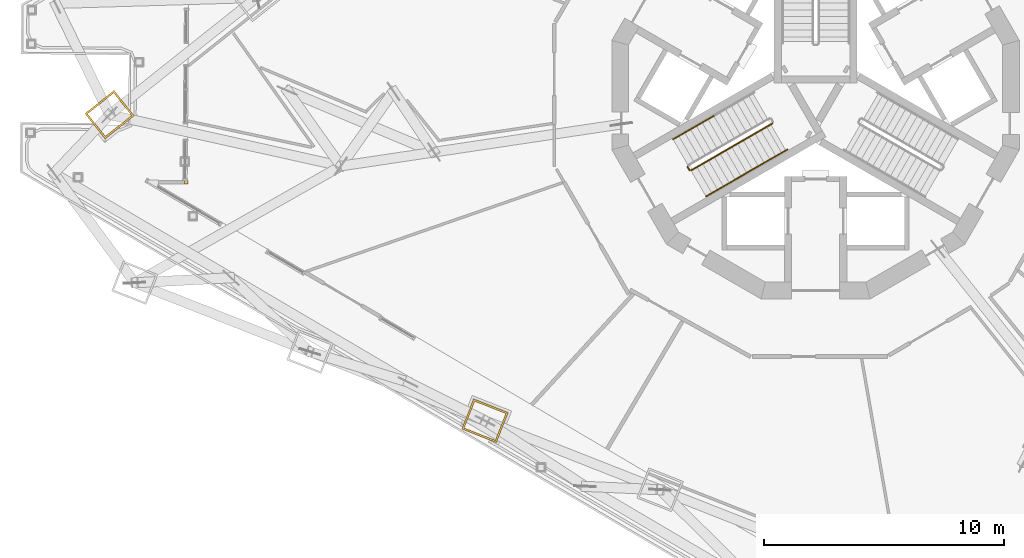
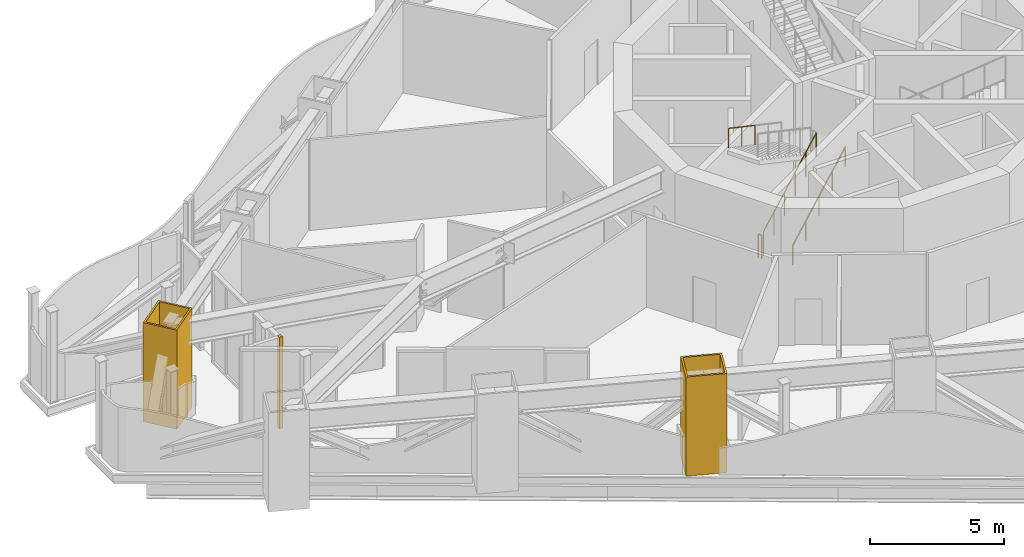
# One storey, part 20 of 27: 5 railings, 3 coverings.
"""IFC4 building model written with IfcOpenShell, lengths in metres."""

from ifc_helpers import new_model, si_unit, direction, frame, origin, origin_2d, place, context, subcontext, project, spatial, polyline, circle, outline, extrude, material, layer, layer_set, type_object, element, save


model = new_model("IFC4")

# Units and contexts
model_context = context("Model", 3, precision=1e-05, world=origin(), true_north=direction((0.0, 1.0)))
body_context = subcontext(model_context, "Body", "Model", "MODEL_VIEW")
ifc_project = project(units=[si_unit("LENGTHUNIT", "METRE"), si_unit("AREAUNIT", "SQUARE_METRE"), si_unit("VOLUMEUNIT", "CUBIC_METRE"), si_unit("PLANEANGLEUNIT", "RADIAN"), si_unit("MASSUNIT", "GRAM", prefix="KILO")], contexts=[model_context])

# Site, building, storey
site_placement = place(None, origin())
site = spatial("IfcSite", under=ifc_project, at=site_placement, CompositionType="ELEMENT")
building_placement = place(site_placement, origin())
building = spatial("IfcBuilding", under=site, at=building_placement, Name="Trine Commons Tower", CompositionType="ELEMENT")
storey_placement = place(building_placement, frame((0.0, 0.0, 193.5)))
storey = spatial("IfcBuildingStorey", under=building, at=storey_placement, Name="L50", CompositionType="ELEMENT", Elevation=193.5)

# Coverings
ifc_material_1 = material(Name="Aluminium-framed insulated wall panel", Category="aluminium")
ifc_layer_1 = layer(ifc_material_1, 0.14990234375)
ifc_layer_set_1 = layer_set([ifc_layer_1], Name="Aluminium-framed insulated wall panel")
covering_type_1 = type_object("IfcCoveringType", Name="Glazing corner post, aluminium", PredefinedType="CLADDING", material=ifc_layer_set_1)
covering_1_placement = place(storey_placement, origin())
element("IfcCovering", 1, at=covering_1_placement, inside=storey, type_object=covering_type_1, Name="Glazing corner post 5-02", PredefinedType="CLADDING", context=body_context, shape_type="SweptSolid", body=[
    extrude(outline(polyline([(53.681640625, 58.78955078125), (53.83154296875, 58.7880859375), (53.8330078125, 58.938232421875), (53.682861328125, 58.939453125), (53.681640625, 58.78955078125)])), origin(), (0.0, 0.0, 1.0), 4.14990234375),
])
ifc_material_2 = material(Name="Limestone, honed", Category="masonry")
ifc_layer_2 = layer(ifc_material_2, 0.074951171875)
ifc_layer_set_2 = layer_set([ifc_layer_2], Name="Limestone, honed")
covering_type_2 = type_object("IfcCoveringType", Name="Limestone column cladding 75", PredefinedType="CLADDING", material=ifc_layer_set_2)
covering_2_placement = place(storey_placement, origin())
element("IfcCovering", 2, at=covering_2_placement, inside=storey, type_object=covering_type_2, Name="Limestone pier cladding 6-05", PredefinedType="CLADDING", context=body_context, shape_type="SweptSolid", body=[
    extrude(outline(polyline([(65.73828125, 49.829833984375), (65.24365234375, 48.57373046875), (66.685791015625, 48.005615234375), (67.1806640625, 49.26171875), (65.73828125, 49.829833984375)]), holes=[polyline([(65.78076171875, 49.732421875), (65.3408203125, 48.615966796875), (66.6435546875, 48.102783203125), (67.083251953125, 49.219482421875), (65.78076171875, 49.732421875)])]), origin(), (0.0, 0.0, 1.0), 4.5),
])
covering_3_placement = place(storey_placement, origin())
element("IfcCovering", 3, at=covering_3_placement, inside=storey, type_object=covering_type_2, Name="Limestone pier cladding 6-08", PredefinedType="CLADDING", context=body_context, shape_type="SweptSolid", body=[
    extrude(outline(polyline([(51.582275390625, 61.6376953125), (50.741943359375, 62.694091796875), (49.52880859375, 61.729248046875), (50.369384765625, 60.672607421875), (51.582275390625, 61.6376953125)]), holes=[polyline([(51.476806640625, 61.649658203125), (50.72998046875, 62.588623046875), (49.63427734375, 61.71728515625), (50.38134765625, 60.778076171875), (51.476806640625, 61.649658203125)])]), origin(), (0.0, 0.0, 1.0), 4.5),
])

# Railings
ifc_material_3 = material(Name="Stainless steel balustrade", Category="steel")
railing_type_1 = type_object("IfcRailingType", Name="Stair guard, steel balustrade 1100", PredefinedType="GUARDRAIL", material=ifc_material_3)
railing_1_placement = place(storey_placement, frame((74.80517578125, 59.3564453125, 0.14990234375)))
element("IfcRailing", 4, at=railing_1_placement, inside=storey, type_object=railing_type_1, Name="L50 ST2C stair guard 1", PredefinedType="GUARDRAIL", context=body_context, shape_type="SweptSolid", body=[
    extrude(circle(Radius=0.02392578125, at=origin_2d()), frame((0.0, 0.0, 1.076171875), z_axis=(0.763374939589, 0.440731680332, 0.472243885677), x_axis=(-0.499997407846, 0.86602690036, 0.0)), (0.0, 0.0, 1.0), 4.447021484375),
    extrude(circle(Radius=0.02099609375, at=origin_2d()), origin(), (0.0, 0.0, 1.0), 1.052001953125),
    extrude(circle(Radius=0.02099609375, at=origin_2d()), frame((0.678955078125, 0.39208984375, 0.419921875)), (0.0, 0.0, 1.0), 1.052001953125),
    extrude(circle(Radius=0.02099609375, at=origin_2d()), frame((1.35791015625, 0.783935546875, 0.840087890625)), (0.0, 0.0, 1.0), 1.052001953125),
    extrude(circle(Radius=0.02099609375, at=origin_2d()), frame((2.036865234375, 1.176025390625, 1.260009765625)), (0.0, 0.0, 1.0), 1.052001953125),
    extrude(circle(Radius=0.02099609375, at=origin_2d()), frame((2.7158203125, 1.56787109375, 1.68017578125)), (0.0, 0.0, 1.0), 1.052001953125),
    extrude(circle(Radius=0.02099609375, at=origin_2d()), frame((3.394775390625, 1.9599609375, 2.10009765625)), (0.0, 0.0, 1.0), 1.052001953125),
])
railing_2_placement = place(storey_placement, frame((74.73681640625, 59.374755859375, 0.0)))
element("IfcRailing", 5, at=railing_2_placement, inside=storey, type_object=railing_type_1, Name="L50 ST2C stair guard 4", PredefinedType="GUARDRAIL", context=body_context, shape_type="SweptSolid", body=[
    extrude(circle(Radius=0.02392578125, at=origin_2d()), frame((0.0, 0.0, 1.076171875), z_axis=(-0.499816412211, 0.866131372301, 0.0), x_axis=(-0.866131372301, -0.499816412211, 0.0)), (0.0, 0.0, 1.0), 0.14990234375),
    extrude(circle(Radius=0.02099609375, at=origin_2d()), origin(), (0.0, 0.0, 1.0), 1.052001953125),
    extrude(circle(Radius=0.02099609375, at=origin_2d()), frame((-0.074951171875, 0.1298828125, 0.0)), (0.0, 0.0, 1.0), 1.052001953125),
])
ifc_material_4 = material(Name="Stainless steel handrail", Category="steel")
railing_type_2 = type_object("IfcRailingType", Name="Stair handrail, steel 900", PredefinedType="HANDRAIL", material=ifc_material_4)
railing_3_placement = place(storey_placement, frame((75.43017578125, 58.27392578125, 0.14990234375)))
element("IfcRailing", 6, at=railing_3_placement, inside=storey, type_object=railing_type_2, Name="L50 ST2C stair handrail 1", PredefinedType="HANDRAIL", context=body_context, shape_type="SweptSolid", body=[
    extrude(circle(Radius=0.02099609375, at=origin_2d()), frame((0.0, 0.0, 0.87890625), z_axis=(0.763397845365, 0.440713210311, 0.472224095054), x_axis=(-0.499970440388, 0.866042469362, 0.0)), (0.0, 0.0, 1.0), 2.2236328125),
    extrude(circle(Radius=0.01513671875, at=origin_2d()), origin(), (0.0, 0.0, 1.0), 0.85791015625),
    extrude(circle(Radius=0.01513671875, at=origin_2d()), frame((0.8486328125, 0.489990234375, 0.52490234375)), (0.0, 0.0, 1.0), 0.85791015625),
    extrude(circle(Radius=0.01513671875, at=origin_2d()), frame((1.697509765625, 0.97998046875, 1.050048828125)), (0.0, 0.0, 1.0), 0.85791015625),
])
railing_4_placement = place(storey_placement, frame((77.127685546875, 59.25390625, 1.199951171875)))
element("IfcRailing", 7, at=railing_4_placement, inside=storey, type_object=railing_type_2, Name="L50 ST2C stair handrail 2", PredefinedType="HANDRAIL", context=body_context, shape_type="SweptSolid", body=[
    extrude(circle(Radius=0.02099609375, at=origin_2d()), frame((0.0, 0.0, 0.87890625), z_axis=(0.763352030933, 0.440750151347, 0.472263677365), x_axis=(-0.500024377727, 0.866011328839, 0.0)), (0.0, 0.0, 1.0), 2.223388671875),
    extrude(circle(Radius=0.01513671875, at=origin_2d()), origin(), (0.0, 0.0, 1.0), 0.85791015625),
    extrude(circle(Radius=0.01513671875, at=origin_2d()), frame((0.8486328125, 0.489990234375, 0.52490234375)), (0.0, 0.0, 1.0), 0.85791015625),
    extrude(circle(Radius=0.01513671875, at=origin_2d()), frame((1.697265625, 0.97998046875, 1.050048828125)), (0.0, 0.0, 1.0), 0.85791015625),
])
railing_5_placement = place(storey_placement, frame((75.752685546875, 61.635498046875, 3.449951171875)))
element("IfcRailing", 8, at=railing_5_placement, inside=storey, type_object=railing_type_2, Name="L50 ST2C stair handrail 4", PredefinedType="HANDRAIL", context=body_context, shape_type="SweptSolid", body=[
    extrude(circle(Radius=0.02099609375, at=origin_2d()), frame((0.0, 0.0, 0.87890625), z_axis=(-0.763397845365, -0.440713210311, 0.472224095054), x_axis=(0.499970440388, -0.866042469362, 0.0)), (0.0, 0.0, 1.0), 2.2236328125),
    extrude(circle(Radius=0.01513671875, at=origin_2d()), origin(), (0.0, 0.0, 1.0), 0.85791015625),
    extrude(circle(Radius=0.01513671875, at=origin_2d()), frame((-0.8486328125, -0.489990234375, 0.52490234375)), (0.0, 0.0, 1.0), 0.85791015625),
    extrude(circle(Radius=0.01513671875, at=origin_2d()), frame((-1.697509765625, -0.97998046875, 1.050048828125)), (0.0, 0.0, 1.0), 0.85791015625),
])

save(model, "model.ifc")
